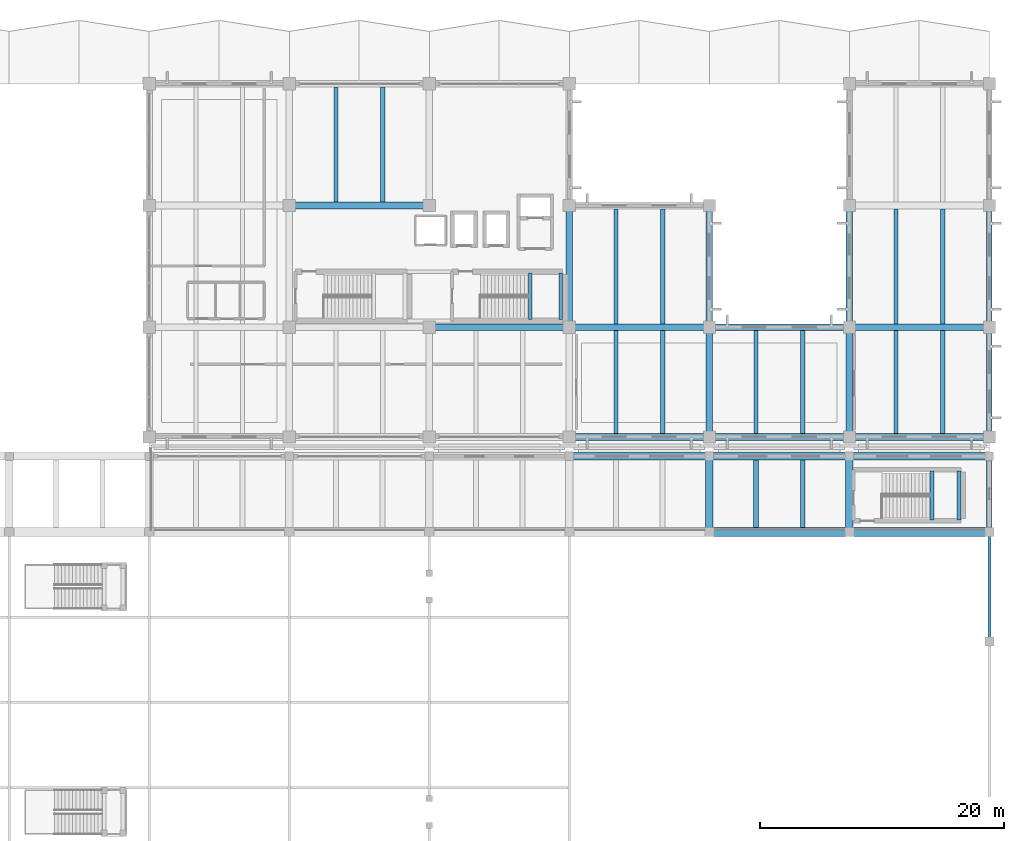
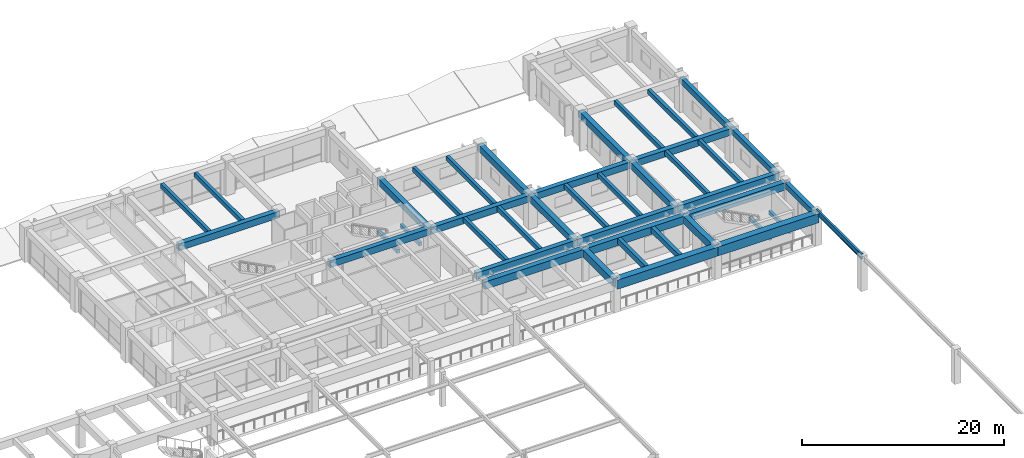
# One storey, part 58 of 98: 42 beams.
"""IFC4 building model written with IfcOpenShell, lengths in metres."""

from ifc_helpers import new_model, si_unit, direction, frame, origin, origin_2d, place, context, subcontext, project, spatial, rectangle, i_section, extrude, material, material_profile, profile_set, type_object, element, save


model = new_model("IFC4")

# Units and contexts
model_context = context("Model", 3, precision=1e-05, world=origin(), true_north=direction((0.0, 1.0)))
body_context = subcontext(model_context, "Body", "Model", "MODEL_VIEW")
ifc_project = project(units=[si_unit("LENGTHUNIT", "METRE"), si_unit("AREAUNIT", "SQUARE_METRE"), si_unit("VOLUMEUNIT", "CUBIC_METRE"), si_unit("PLANEANGLEUNIT", "RADIAN"), si_unit("MASSUNIT", "GRAM", prefix="KILO")], contexts=[model_context])

# Site, building, storey
site_placement = place(None, origin())
site = spatial("IfcSite", under=ifc_project, at=site_placement, CompositionType="ELEMENT")
building_placement = place(site_placement, origin())
building = spatial("IfcBuilding", under=site, at=building_placement, Name="Ologun Quay Terminus", CompositionType="ELEMENT")
storey_placement = place(building_placement, frame((0.0, 0.0, 4.199951171875)))
storey = spatial("IfcBuildingStorey", under=building, at=storey_placement, Name="L01", CompositionType="ELEMENT", Elevation=4.199951171875)

# Beams
ifc_material_1 = material(Name="Concrete C45/55", Category="concrete")
ifc_material_profile_1 = material_profile(ifc_material_1, rectangle(XDim=0.75, YDim=1.10009765625, at=origin_2d()), Name="RC 750x1100")
ifc_profile_set_1 = profile_set([ifc_material_profile_1], Name="Concrete C45/55")
beam_type_1 = type_object("IfcBeamType", Name="Concourse Primary Girder 750x1100", PredefinedType="BEAM", material=ifc_profile_set_1)
for number, where, z_axis, x_axis, name in (
    (1, (161.0, 78.0, 3.300048828125), (1.0, 0.0, 0.0), (0.0, 1.0, 0.0), "B2 Beam 15/F L01"),
    (2, (172.5, 78.0, 3.300048828125), (1.0, 0.0, 0.0), (0.0, 1.0, 0.0), "B2 Beam 16/F L01"),
):
    element("IfcBeam", number, at=place(storey_placement, frame(where, z_axis=z_axis, x_axis=x_axis)), inside=storey, type_object=beam_type_1, Name=name, PredefinedType="BEAM", context=body_context, shape_type="SweptSolid", body=[
        extrude(rectangle(XDim=0.75, YDim=1.10009765625, at=origin_2d()), origin(), (0.0, 0.0, 1.0), 11.5),
    ])
ifc_material_2 = material(Name="Steel S355", Category="steel")
ifc_material_profile_2 = material_profile(ifc_material_2, i_section(OverallWidth=0.228271484375, OverallDepth=0.607666015625, WebThickness=0.010986328125, FlangeThickness=0.017333984375, at=origin_2d()), Name="UKB 610x229x113")
ifc_profile_set_2 = profile_set([ifc_material_profile_2], Name="Steel S355")
beam_type_2 = type_object("IfcBeamType", Name="Concourse Steel Spine Girder UKB610", PredefinedType="BEAM", material=ifc_profile_set_2)
beam_1_placement = place(storey_placement, frame((184.0, 69.0, 3.896240234375), z_axis=(0.0, 1.0, 0.0), x_axis=(-1.0, 0.0, 0.0)))
element("IfcBeam", 3, at=beam_1_placement, inside=storey, type_object=beam_type_2, Name="SB1 Beam 17/E L01", PredefinedType="BEAM", context=body_context, shape_type="SweptSolid", body=[
    extrude(i_section(OverallWidth=0.228271484375, OverallDepth=0.607666015625, WebThickness=0.010986328125, FlangeThickness=0.017333984375, at=origin_2d()), origin(), (0.0, 0.0, 1.0), 9.0),
])
ifc_material_3 = material(Name="Concrete C40/50", Category="concrete")
ifc_material_profile_3 = material_profile(ifc_material_3, rectangle(XDim=0.300048828125, YDim=0.449951171875, at=origin_2d()), Name="RC 300x450")
ifc_profile_set_3 = profile_set([ifc_material_profile_3], Name="Concrete C40/50")
beam_type_3 = type_object("IfcBeamType", Name="Core Coupling Lintel Beam 300x450", PredefinedType="LINTEL", material=ifc_profile_set_3)
for number, where, z_axis, x_axis, name in (
    (4, (146.2900390625, 95.429931640625, 1.695068359375), (0.0, 1.0, 0.0), (-1.0, 0.0, 0.0), "LN1 Half-Landing Ledger Beam ST-E2-W L01"),
    (5, (148.81005859375, 95.429931640625, 1.695068359375), (0.0, 1.0, 0.0), (-1.0, 0.0, 0.0), "LN1 Half-Landing Ledger Beam ST-E2-E L01"),
):
    element("IfcBeam", number, at=place(storey_placement, frame(where, z_axis=z_axis, x_axis=x_axis)), inside=storey, type_object=beam_type_3, Name=name, PredefinedType="LINTEL", context=body_context, shape_type="SweptSolid", body=[
        extrude(rectangle(XDim=0.300048828125, YDim=0.449951171875, at=origin_2d()), origin(), (0.0, 0.0, 1.0), 3.840087890625),
    ])
for number, where, z_axis, x_axis, name in (
    (6, (179.2900390625, 78.97998046875, 1.695068359375), (0.0, 1.0, 0.0), (-1.0, 0.0, 0.0), "LN1 Half-Landing Ledger Beam ST-NG2-W L01"),
    (7, (181.510009765625, 78.97998046875, 1.695068359375), (0.0, 1.0, 0.0), (-1.0, 0.0, 0.0), "LN1 Half-Landing Ledger Beam ST-NG2-E L01"),
):
    element("IfcBeam", number, at=place(storey_placement, frame(where, z_axis=z_axis, x_axis=x_axis)), inside=storey, type_object=beam_type_3, Name=name, PredefinedType="LINTEL", context=body_context, shape_type="SweptSolid", body=[
        extrude(rectangle(XDim=0.300048828125, YDim=0.449951171875, at=origin_2d()), origin(), (0.0, 0.0, 1.0), 4.0400390625),
    ])
ifc_material_4 = material(Name="Concrete C40/50", Category="concrete")
ifc_material_profile_4 = material_profile(ifc_material_4, rectangle(XDim=0.550048828125, YDim=0.800048828125, at=origin_2d()), Name="RC 550x800")
ifc_profile_set_4 = profile_set([ifc_material_profile_4], Name="Concrete C40/50")
beam_type_4 = type_object("IfcBeamType", Name="Courtyard Wing Primary Girder 550x800", PredefinedType="BEAM", material=ifc_profile_set_4)
for number, where, z_axis, x_axis, name in (
    (8, (149.5, 85.800048828125, 3.550048828125), (1.0, 0.0, 0.0), (0.0, 1.0, 0.0), "B4 Beam 14/G2 L01"),
    (9, (161.0, 85.800048828125, 3.550048828125), (1.0, 0.0, 0.0), (0.0, 1.0, 0.0), "B4 Beam 15/G2 L01"),
    (10, (172.5, 85.800048828125, 3.550048828125), (1.0, 0.0, 0.0), (0.0, 1.0, 0.0), "B4 Beam 16/G2 L01"),
    (11, (138.0, 94.800048828125, 3.550048828125), (1.0, 0.0, 0.0), (0.0, 1.0, 0.0), "B4 Beam 13/H L01"),
    (12, (149.5, 94.800048828125, 3.550048828125), (1.0, 0.0, 0.0), (0.0, 1.0, 0.0), "B4 Beam 14/H L01"),
    (13, (161.0, 94.800048828125, 3.550048828125), (1.0, 0.0, 0.0), (0.0, 1.0, 0.0), "B4 Beam 15/H L01"),
    (14, (172.5, 94.800048828125, 3.550048828125), (1.0, 0.0, 0.0), (0.0, 1.0, 0.0), "B4 Beam 16/H L01"),
    (15, (126.5, 104.800048828125, 3.550048828125), (1.0, 0.0, 0.0), (0.0, 1.0, 0.0), "B4 Beam 12/J L01"),
):
    element("IfcBeam", number, at=place(storey_placement, frame(where, z_axis=z_axis, x_axis=x_axis)), inside=storey, type_object=beam_type_4, Name=name, PredefinedType="BEAM", context=body_context, shape_type="SweptSolid", body=[
        extrude(rectangle(XDim=0.550048828125, YDim=0.800048828125, at=origin_2d()), origin(), (0.0, 0.0, 1.0), 11.5),
    ])
beam_2_placement = place(storey_placement, frame((149.5, 94.800048828125, 3.550048828125), z_axis=(0.0, 1.0, 0.0), x_axis=(-1.0, 0.0, 0.0)))
element("IfcBeam", 16, at=beam_2_placement, inside=storey, type_object=beam_type_4, Name="B4 Beam 14/H L01", PredefinedType="BEAM", context=body_context, shape_type="SweptSolid", body=[
    extrude(rectangle(XDim=0.550048828125, YDim=0.800048828125, at=origin_2d()), origin(), (0.0, 0.0, 1.0), 10.0),
])
beam_3_placement = place(storey_placement, frame((161.0, 85.800048828125, 3.550048828125), z_axis=(0.0, 1.0, 0.0), x_axis=(-1.0, 0.0, 0.0)))
element("IfcBeam", 17, at=beam_3_placement, inside=storey, type_object=beam_type_4, Name="B4 Beam 15/G2 L01", PredefinedType="BEAM", context=body_context, shape_type="SweptSolid", body=[
    extrude(rectangle(XDim=0.550048828125, YDim=0.800048828125, at=origin_2d()), origin(), (0.0, 0.0, 1.0), 9.0),
])
beam_4_placement = place(storey_placement, frame((161.0, 94.800048828125, 3.550048828125), z_axis=(0.0, 1.0, 0.0), x_axis=(-1.0, 0.0, 0.0)))
element("IfcBeam", 18, at=beam_4_placement, inside=storey, type_object=beam_type_4, Name="B4 Beam 15/H L01", PredefinedType="BEAM", context=body_context, shape_type="SweptSolid", body=[
    extrude(rectangle(XDim=0.550048828125, YDim=0.800048828125, at=origin_2d()), origin(), (0.0, 0.0, 1.0), 10.0),
])
beam_5_placement = place(storey_placement, frame((172.5, 85.800048828125, 3.550048828125), z_axis=(0.0, 1.0, 0.0), x_axis=(-1.0, 0.0, 0.0)))
element("IfcBeam", 19, at=beam_5_placement, inside=storey, type_object=beam_type_4, Name="B4 Beam 16/G2 L01", PredefinedType="BEAM", context=body_context, shape_type="SweptSolid", body=[
    extrude(rectangle(XDim=0.550048828125, YDim=0.800048828125, at=origin_2d()), origin(), (0.0, 0.0, 1.0), 9.0),
])
beam_6_placement = place(storey_placement, frame((172.5, 94.800048828125, 3.550048828125), z_axis=(0.0, 1.0, 0.0), x_axis=(-1.0, 0.0, 0.0)))
element("IfcBeam", 20, at=beam_6_placement, inside=storey, type_object=beam_type_4, Name="B4 Beam 16/H L01", PredefinedType="BEAM", context=body_context, shape_type="SweptSolid", body=[
    extrude(rectangle(XDim=0.550048828125, YDim=0.800048828125, at=origin_2d()), origin(), (0.0, 0.0, 1.0), 10.0),
])
ifc_material_5 = material(Name="Concrete C40/50", Category="concrete")
ifc_material_profile_5 = material_profile(ifc_material_5, rectangle(XDim=0.35009765625, YDim=0.550048828125, at=origin_2d()), Name="RC 350x550")
ifc_profile_set_5 = profile_set([ifc_material_profile_5], Name="Concrete C40/50")
beam_type_5 = type_object("IfcBeamType", Name="Courtyard Wing Secondary Joist 350x550", PredefinedType="JOIST", material=ifc_profile_set_5)
for number, where, z_axis, x_axis, name in (
    (21, (130.333251953125, 105.074951171875, 3.675048828125), (0.0, 1.0, 0.0), (-1.0, 0.0, 0.0), "J2 Beam 12/J L01"),
    (22, (134.166748046875, 105.074951171875, 3.675048828125), (0.0, 1.0, 0.0), (-1.0, 0.0, 0.0), "J2 Beam 12/J L01"),
):
    element("IfcBeam", number, at=place(storey_placement, frame(where, z_axis=z_axis, x_axis=x_axis)), inside=storey, type_object=beam_type_5, Name=name, PredefinedType="JOIST", context=body_context, shape_type="SweptSolid", body=[
        extrude(rectangle(XDim=0.35009765625, YDim=0.550048828125, at=origin_2d()), origin(), (0.0, 0.0, 1.0), 9.449951171875),
    ])
for number, where, z_axis, x_axis, name in (
    (23, (153.333251953125, 86.074951171875, 3.675048828125), (0.0, 1.0, 0.0), (-1.0, 0.0, 0.0), "J2 Beam 14/G2 L01"),
    (24, (157.166748046875, 86.074951171875, 3.675048828125), (0.0, 1.0, 0.0), (-1.0, 0.0, 0.0), "J2 Beam 14/G2 L01"),
):
    element("IfcBeam", number, at=place(storey_placement, frame(where, z_axis=z_axis, x_axis=x_axis)), inside=storey, type_object=beam_type_5, Name=name, PredefinedType="JOIST", context=body_context, shape_type="SweptSolid", body=[
        extrude(rectangle(XDim=0.35009765625, YDim=0.550048828125, at=origin_2d()), origin(), (0.0, 0.0, 1.0), 8.449951171875),
    ])
for number, where, z_axis, x_axis, name in (
    (25, (153.333251953125, 95.074951171875, 3.675048828125), (0.0, 1.0, 0.0), (-1.0, 0.0, 0.0), "J2 Beam 14/H L01"),
    (26, (157.166748046875, 95.074951171875, 3.675048828125), (0.0, 1.0, 0.0), (-1.0, 0.0, 0.0), "J2 Beam 14/H L01"),
):
    element("IfcBeam", number, at=place(storey_placement, frame(where, z_axis=z_axis, x_axis=x_axis)), inside=storey, type_object=beam_type_5, Name=name, PredefinedType="JOIST", context=body_context, shape_type="SweptSolid", body=[
        extrude(rectangle(XDim=0.35009765625, YDim=0.550048828125, at=origin_2d()), origin(), (0.0, 0.0, 1.0), 9.449951171875),
    ])
for number, where, z_axis, x_axis, name in (
    (27, (164.833251953125, 86.074951171875, 3.675048828125), (0.0, 1.0, 0.0), (-1.0, 0.0, 0.0), "J2 Beam 15/G2 L01"),
    (28, (168.666748046875, 86.074951171875, 3.675048828125), (0.0, 1.0, 0.0), (-1.0, 0.0, 0.0), "J2 Beam 15/G2 L01"),
    (29, (176.333251953125, 86.074951171875, 3.675048828125), (0.0, 1.0, 0.0), (-1.0, 0.0, 0.0), "J2 Beam 16/G2 L01"),
    (30, (180.166748046875, 86.074951171875, 3.675048828125), (0.0, 1.0, 0.0), (-1.0, 0.0, 0.0), "J2 Beam 16/G2 L01"),
):
    element("IfcBeam", number, at=place(storey_placement, frame(where, z_axis=z_axis, x_axis=x_axis)), inside=storey, type_object=beam_type_5, Name=name, PredefinedType="JOIST", context=body_context, shape_type="SweptSolid", body=[
        extrude(rectangle(XDim=0.35009765625, YDim=0.550048828125, at=origin_2d()), origin(), (0.0, 0.0, 1.0), 8.449951171875),
    ])
for number, where, z_axis, x_axis, name in (
    (31, (176.333251953125, 95.074951171875, 3.675048828125), (0.0, 1.0, 0.0), (-1.0, 0.0, 0.0), "J2 Beam 16/H L01"),
    (32, (180.166748046875, 95.074951171875, 3.675048828125), (0.0, 1.0, 0.0), (-1.0, 0.0, 0.0), "J2 Beam 16/H L01"),
):
    element("IfcBeam", number, at=place(storey_placement, frame(where, z_axis=z_axis, x_axis=x_axis)), inside=storey, type_object=beam_type_5, Name=name, PredefinedType="JOIST", context=body_context, shape_type="SweptSolid", body=[
        extrude(rectangle(XDim=0.35009765625, YDim=0.550048828125, at=origin_2d()), origin(), (0.0, 0.0, 1.0), 9.449951171875),
    ])
ifc_material_6 = material(Name="Concrete C40/50", Category="concrete")
ifc_material_profile_6 = material_profile(ifc_material_6, rectangle(XDim=0.449951171875, YDim=0.699951171875, at=origin_2d()), Name="RC 450x700")
ifc_profile_set_6 = profile_set([ifc_material_profile_6], Name="Concrete C40/50")
beam_type_6 = type_object("IfcBeamType", Name="Perimeter Spandrel Beam 450x700", PredefinedType="SPANDREL", material=ifc_profile_set_6)
beam_7_placement = place(storey_placement, frame((184.0, 78.0, 3.5), z_axis=(0.0, 1.0, 0.0), x_axis=(-1.0, 0.0, 0.0)))
element("IfcBeam", 33, at=beam_7_placement, inside=storey, type_object=beam_type_6, Name="SP1 Beam 17/F L01", PredefinedType="SPANDREL", context=body_context, shape_type="SweptSolid", body=[
    extrude(rectangle(XDim=0.449951171875, YDim=0.699951171875, at=origin_2d()), origin(), (0.0, 0.0, 1.0), 6.199951171875),
])
beam_8_placement = place(storey_placement, frame((184.0, 85.800048828125, 3.60009765625), z_axis=(0.0, 1.0, 0.0), x_axis=(-1.0, 0.0, 0.0)))
element("IfcBeam", 34, at=beam_8_placement, inside=storey, type_object=beam_type_6, Name="SP1 Beam 17/G2 L01", PredefinedType="SPANDREL", context=body_context, shape_type="SweptSolid", body=[
    extrude(rectangle(XDim=0.449951171875, YDim=0.699951171875, at=origin_2d()), origin(), (0.0, 0.0, 1.0), 9.0),
])
beam_9_placement = place(storey_placement, frame((184.0, 94.800048828125, 3.60009765625), z_axis=(0.0, 1.0, 0.0), x_axis=(-1.0, 0.0, 0.0)))
element("IfcBeam", 35, at=beam_9_placement, inside=storey, type_object=beam_type_6, Name="SP1 Beam 17/H L01", PredefinedType="SPANDREL", context=body_context, shape_type="SweptSolid", body=[
    extrude(rectangle(XDim=0.449951171875, YDim=0.699951171875, at=origin_2d()), origin(), (0.0, 0.0, 1.0), 10.0),
])
ifc_material_7 = material(Name="Concrete C40/50", Category="concrete")
ifc_material_profile_7 = material_profile(ifc_material_7, rectangle(XDim=0.60009765625, YDim=0.89990234375, at=origin_2d()), Name="RC 600x900")
ifc_profile_set_7 = profile_set([ifc_material_profile_7], Name="Concrete C40/50")
beam_type_7 = type_object("IfcBeamType", Name="Station Frame Girder 600x900", PredefinedType="BEAM", material=ifc_profile_set_7)
for number, where, z_axis, x_axis, name in (
    (36, (149.5, 84.199951171875, 3.400146484375), (1.0, 0.0, 0.0), (0.0, 1.0, 0.0), "B3 Beam 14/G1 L01"),
    (37, (161.0, 84.199951171875, 3.400146484375), (1.0, 0.0, 0.0), (0.0, 1.0, 0.0), "B3 Beam 15/G1 L01"),
    (38, (172.5, 84.199951171875, 3.400146484375), (1.0, 0.0, 0.0), (0.0, 1.0, 0.0), "B3 Beam 16/G1 L01"),
):
    element("IfcBeam", number, at=place(storey_placement, frame(where, z_axis=z_axis, x_axis=x_axis)), inside=storey, type_object=beam_type_7, Name=name, PredefinedType="BEAM", context=body_context, shape_type="SweptSolid", body=[
        extrude(rectangle(XDim=0.60009765625, YDim=0.89990234375, at=origin_2d()), origin(), (0.0, 0.0, 1.0), 11.5),
    ])
for number, where, z_axis, x_axis, name in (
    (39, (161.0, 78.0, 3.400146484375), (0.0, 1.0, 0.0), (-1.0, 0.0, 0.0), "B3 Beam 15/F L01"),
    (40, (172.5, 78.0, 3.400146484375), (0.0, 1.0, 0.0), (-1.0, 0.0, 0.0), "B3 Beam 16/F L01"),
):
    element("IfcBeam", number, at=place(storey_placement, frame(where, z_axis=z_axis, x_axis=x_axis)), inside=storey, type_object=beam_type_7, Name=name, PredefinedType="BEAM", context=body_context, shape_type="SweptSolid", body=[
        extrude(rectangle(XDim=0.60009765625, YDim=0.89990234375, at=origin_2d()), origin(), (0.0, 0.0, 1.0), 6.199951171875),
    ])
ifc_material_8 = material(Name="Concrete C40/50", Category="concrete")
ifc_material_profile_8 = material_profile(ifc_material_8, rectangle(XDim=0.39990234375, YDim=0.64990234375, at=origin_2d()), Name="RC 400x650")
ifc_profile_set_8 = profile_set([ifc_material_profile_8], Name="Concrete C40/50")
beam_type_8 = type_object("IfcBeamType", Name="Station Secondary Joist 400x650", PredefinedType="JOIST", material=ifc_profile_set_8)
for number, where, z_axis, x_axis, name in (
    (41, (164.833251953125, 78.375, 3.525146484375), (0.0, 1.0, 0.0), (-1.0, 0.0, 0.0), "J1 Beam 15/F L01"),
    (42, (168.666748046875, 78.375, 3.525146484375), (0.0, 1.0, 0.0), (-1.0, 0.0, 0.0), "J1 Beam 15/F L01"),
):
    element("IfcBeam", number, at=place(storey_placement, frame(where, z_axis=z_axis, x_axis=x_axis)), inside=storey, type_object=beam_type_8, Name=name, PredefinedType="JOIST", context=body_context, shape_type="SweptSolid", body=[
        extrude(rectangle(XDim=0.39990234375, YDim=0.64990234375, at=origin_2d()), origin(), (0.0, 0.0, 1.0), 5.52490234375),
    ])

save(model, "model.ifc")
